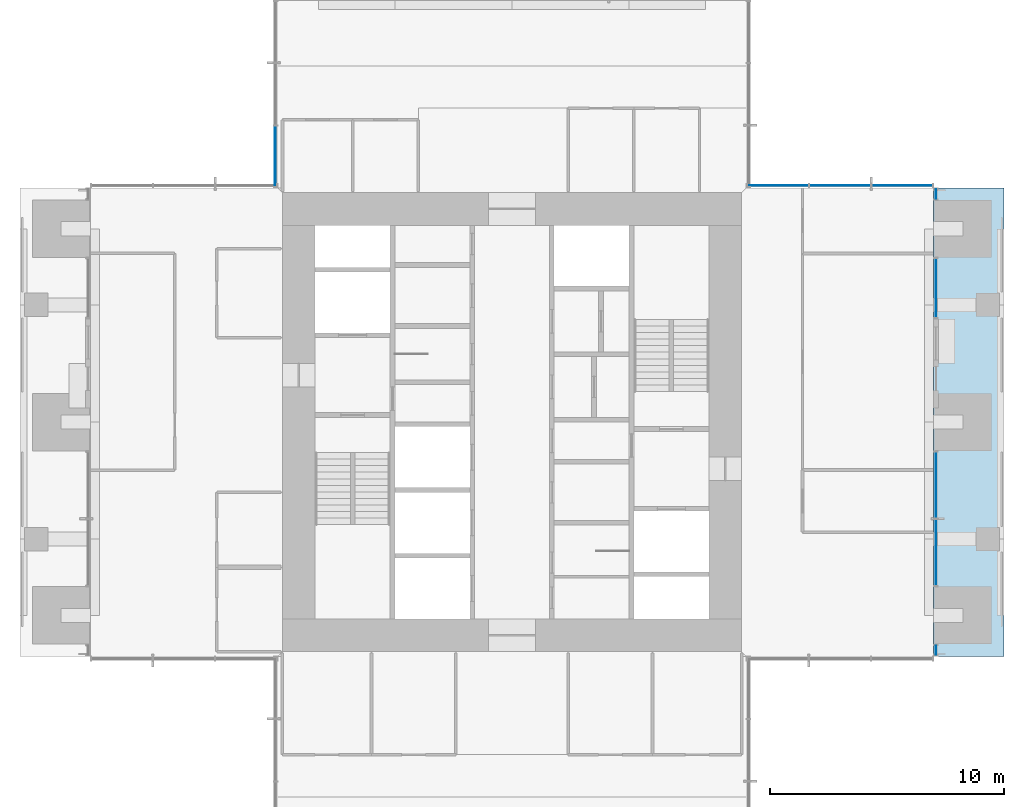
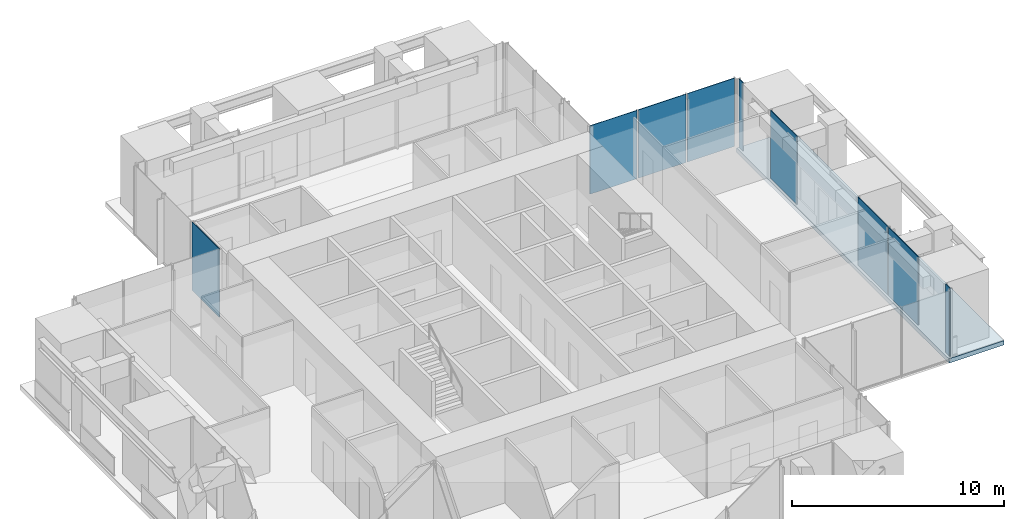
# One storey, part 10 of 17: 9 plates, 1 slab, 6 elements without a shape of their own.
"""IFC4 building model written with IfcOpenShell, lengths in metres."""

from ifc_helpers import new_model, si_unit, direction, frame, origin, origin_2d, place, context, subcontext, project, spatial, polyline, rectangle, outline, extrude, material, layer, layer_set, type_object, element, aggregate, save


model = new_model("IFC4")

# Units and contexts
model_context = context("Model", 3, precision=1e-05, world=origin(), true_north=direction((0.0, 1.0)))
body_context = subcontext(model_context, "Body", "Model", "MODEL_VIEW")
ifc_project = project(units=[si_unit("LENGTHUNIT", "METRE"), si_unit("AREAUNIT", "SQUARE_METRE"), si_unit("VOLUMEUNIT", "CUBIC_METRE"), si_unit("PLANEANGLEUNIT", "RADIAN"), si_unit("MASSUNIT", "GRAM", prefix="KILO")], contexts=[model_context])

# Site, building, storey
site_placement = place(None, origin())
site = spatial("IfcSite", under=ifc_project, at=site_placement, CompositionType="ELEMENT")
building_placement = place(site_placement, origin())
building = spatial("IfcBuilding", under=site, at=building_placement, Name="Svetlomir Tower", CompositionType="ELEMENT")
storey_placement = place(building_placement, frame((0.0, 0.0, 198.5)))
storey = spatial("IfcBuildingStorey", under=building, at=storey_placement, Name="L47", CompositionType="ELEMENT", Elevation=198.5)

# Curtain wall, plate
ifc_material_1 = material(Name="Bronze anodised aluminium curtain wall", Category="aluminium")
curtain_wall_type = type_object("IfcCurtainWallType", Name="CURTAIN WALL CW1 TOWER OFFICE", PredefinedType="NOTDEFINED", material=ifc_material_1)
curtain_wall_1_placement = place(storey_placement, origin())
curtain_wall_1 = element("IfcCurtainWall", 1, at=curtain_wall_1_placement, inside=storey, type_object=curtain_wall_type, Name="Curtain wall CW1 L47", PredefinedType="NOTDEFINED")
ifc_material_2 = material(Name="Tinted double glazed unit", Category="glass")
ifc_layer_1 = layer(ifc_material_2, 0.031982421875)
ifc_layer_set_1 = layer_set([ifc_layer_1], Name="Tinted double glazed unit")
plate_type = type_object("IfcPlateType", Name="CW1 GLAZED PANEL 32", PredefinedType="CURTAIN_PANEL", material=ifc_layer_set_1)
plate_1_placement = place(storey_placement, frame((39.10009765625, 11.262451171875, 0.06494140625), z_axis=(0.0, 0.0, 1.0), x_axis=(0.0, 1.0, 0.0)))
plate_1 = element("IfcPlate", 2, at=plate_1_placement, type_object=plate_type, Name="CW1 panel 1.1", PredefinedType="CURTAIN_PANEL", context=body_context, shape_type="SweptSolid", body=[
    extrude(rectangle(XDim=0.39501953125, YDim=0.031982421875, at=origin_2d()), origin(), (0.0, 0.0, 1.0), 3.93505859375),
])
aggregate(curtain_wall_1, [plate_1])

# Curtain wall, plates
curtain_wall_2_placement = place(storey_placement, origin())
curtain_wall_2 = element("IfcCurtainWall", 3, at=curtain_wall_2_placement, inside=storey, type_object=curtain_wall_type, Name="Curtain wall CW1 L47", PredefinedType="NOTDEFINED")
plate_2_placement = place(storey_placement, frame((39.10009765625, 15.441162109375, 0.06494140625), z_axis=(0.0, 0.0, 1.0), x_axis=(0.0, 1.0, 0.0)))
plate_2 = element("IfcPlate", 4, at=plate_2_placement, type_object=plate_type, Name="CW1 panel 1.1", PredefinedType="CURTAIN_PANEL", context=body_context, shape_type="SweptSolid", body=[
    extrude(rectangle(XDim=2.802490234375, YDim=0.031982421875, at=origin_2d()), origin(), (0.0, 0.0, 1.0), 3.93505859375),
])
plate_3_placement = place(storey_placement, frame((39.10009765625, 18.308837890625, 0.06494140625), z_axis=(0.0, 0.0, 1.0), x_axis=(0.0, 1.0, 0.0)))
plate_3 = element("IfcPlate", 5, at=plate_3_placement, type_object=plate_type, Name="CW1 panel 2.1", PredefinedType="CURTAIN_PANEL", context=body_context, shape_type="SweptSolid", body=[
    extrude(rectangle(XDim=2.802490234375, YDim=0.031982421875, at=origin_2d()), origin(), (0.0, 0.0, 1.0), 3.93505859375),
])
aggregate(curtain_wall_2, [plate_2, plate_3])

# Curtain wall, plate
curtain_wall_3_placement = place(storey_placement, origin())
curtain_wall_3 = element("IfcCurtainWall", 6, at=curtain_wall_3_placement, inside=storey, type_object=curtain_wall_type, Name="Curtain wall CW1 L47", PredefinedType="NOTDEFINED")
plate_4_placement = place(storey_placement, frame((39.10009765625, 26.71240234375, 0.06494140625), z_axis=(0.0, 0.0, 1.0), x_axis=(0.0, 1.0, 0.0)))
plate_4 = element("IfcPlate", 7, at=plate_4_placement, type_object=plate_type, Name="CW1 panel 1.1", PredefinedType="CURTAIN_PANEL", context=body_context, shape_type="SweptSolid", body=[
    extrude(rectangle(XDim=2.4951171875, YDim=0.031982421875, at=origin_2d()), origin(), (0.0, 0.0, 1.0), 3.93505859375),
])
aggregate(curtain_wall_3, [plate_4])

curtain_wall_4_placement = place(storey_placement, origin())
curtain_wall_4 = element("IfcCurtainWall", 8, at=curtain_wall_4_placement, inside=storey, type_object=curtain_wall_type, Name="Curtain wall CW1 L47", PredefinedType="NOTDEFINED")
plate_5_placement = place(storey_placement, frame((39.10009765625, 30.737548828125, 0.06494140625), z_axis=(0.0, 0.0, 1.0), x_axis=(0.0, 1.0, 0.0)))
plate_5 = element("IfcPlate", 9, at=plate_5_placement, type_object=plate_type, Name="CW1 panel 1.1", PredefinedType="CURTAIN_PANEL", context=body_context, shape_type="SweptSolid", body=[
    extrude(rectangle(XDim=0.39501953125, YDim=0.031982421875, at=origin_2d()), origin(), (0.0, 0.0, 1.0), 3.93505859375),
])
aggregate(curtain_wall_4, [plate_5])

# Curtain wall, plates
curtain_wall_5_placement = place(storey_placement, origin())
curtain_wall_5 = element("IfcCurtainWall", 10, at=curtain_wall_5_placement, inside=storey, type_object=curtain_wall_type, Name="Curtain wall CW1 L47", PredefinedType="NOTDEFINED")
plate_6_placement = place(storey_placement, frame((37.650390625, 31.10009765625, 0.06494140625), z_axis=(0.0, 0.0, 1.0), x_axis=(-1.0, 0.0, 0.0)))
plate_6 = element("IfcPlate", 11, at=plate_6_placement, type_object=plate_type, Name="CW1 panel 1.1", PredefinedType="CURTAIN_PANEL", context=body_context, shape_type="SweptSolid", body=[
    extrude(rectangle(XDim=2.569091796875, YDim=0.031982421875, at=origin_2d()), origin(), (0.0, 0.0, 1.0), 3.93505859375),
])
plate_7_placement = place(storey_placement, frame((35.0, 31.10009765625, 0.06494140625), z_axis=(0.0, 0.0, 1.0), x_axis=(-1.0, 0.0, 0.0)))
plate_7 = element("IfcPlate", 12, at=plate_7_placement, type_object=plate_type, Name="CW1 panel 2.1", PredefinedType="CURTAIN_PANEL", context=body_context, shape_type="SweptSolid", body=[
    extrude(rectangle(XDim=2.6015625, YDim=0.031982421875, at=origin_2d()), origin(), (0.0, 0.0, 1.0), 3.93505859375),
])
plate_8_placement = place(storey_placement, frame((32.349609375, 31.10009765625, 0.06494140625), z_axis=(0.0, 0.0, 1.0), x_axis=(-1.0, 0.0, 0.0)))
plate_8 = element("IfcPlate", 13, at=plate_8_placement, type_object=plate_type, Name="CW1 panel 3.1", PredefinedType="CURTAIN_PANEL", context=body_context, shape_type="SweptSolid", body=[
    extrude(rectangle(XDim=2.569091796875, YDim=0.031982421875, at=origin_2d()), origin(), (0.0, 0.0, 1.0), 3.93505859375),
])
aggregate(curtain_wall_5, [plate_6, plate_7, plate_8])

# Curtain wall, plate
curtain_wall_6_placement = place(storey_placement, origin())
curtain_wall_6 = element("IfcCurtainWall", 14, at=curtain_wall_6_placement, inside=storey, type_object=curtain_wall_type, Name="Curtain wall CW1 L47", PredefinedType="NOTDEFINED")
plate_9_placement = place(storey_placement, frame((10.89990234375, 32.349609375, 0.06494140625), z_axis=(0.0, 0.0, 1.0), x_axis=(0.0, -1.0, 0.0)))
plate_9 = element("IfcPlate", 15, at=plate_9_placement, type_object=plate_type, Name="CW1 panel 3.1", PredefinedType="CURTAIN_PANEL", context=body_context, shape_type="SweptSolid", body=[
    extrude(rectangle(XDim=2.569091796875, YDim=0.031982421875, at=origin_2d()), origin(), (0.0, 0.0, 1.0), 3.93505859375),
])
aggregate(curtain_wall_6, [plate_9])

# Slab
ifc_material_3 = material(Name="Concrete C60/75", Category="concrete")
ifc_layer_2 = layer(ifc_material_3, 0.25)
ifc_layer_set_2 = layer_set([ifc_layer_2], Name="Concrete C60/75")
slab_type = type_object("IfcSlabType", Name="PLANTED LOGGIA SLAB 250", PredefinedType="FLOOR", material=ifc_layer_set_2)
slab_placement = place(storey_placement, frame((0.0, 0.0, -0.25)))
element("IfcSlab", 16, at=slab_placement, inside=storey, type_object=slab_type, Name="L47 E planted loggia", PredefinedType="FLOOR", context=body_context, shape_type="SweptSolid", body=[
    extrude(outline(polyline([(39.0, 11.0), (42.0, 11.0), (42.0, 31.0), (39.0, 31.0), (39.0, 11.0)])), origin(), (0.0, 0.0, 1.0), 0.25),
])

save(model, "model.ifc")
